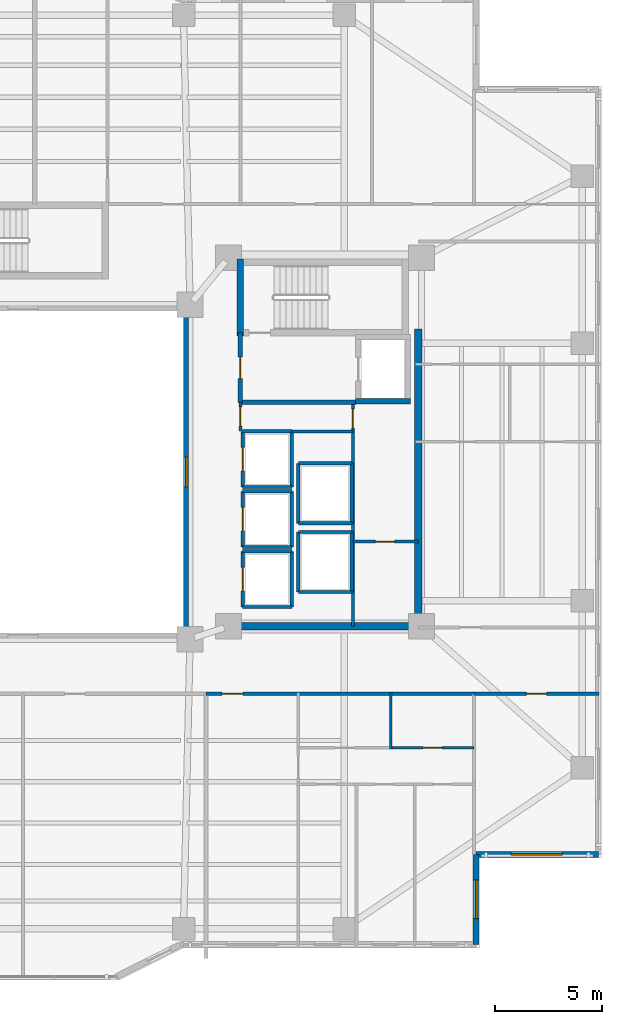
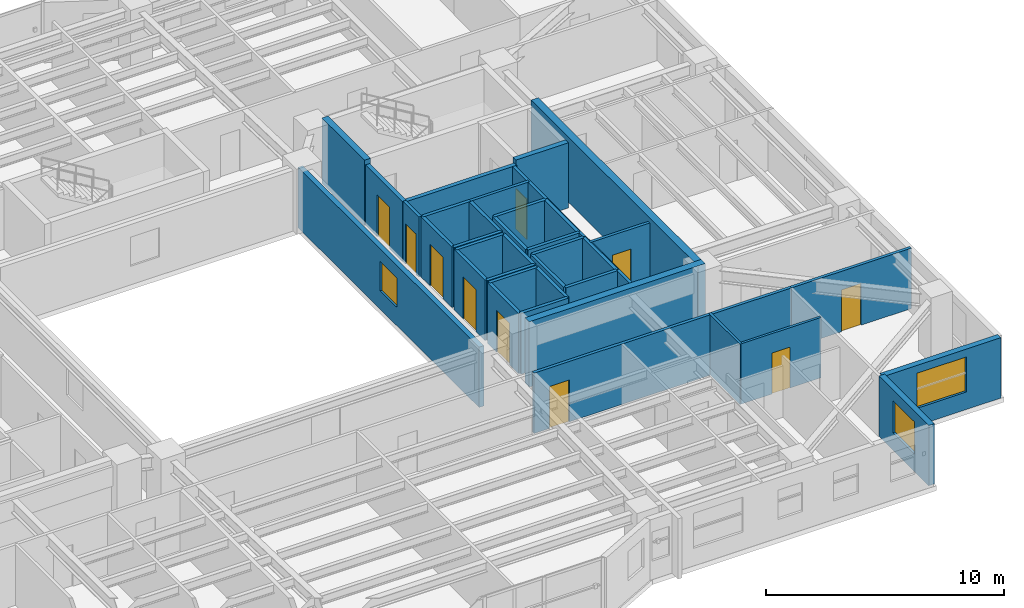
# One storey, part 8 of 18: 37 walls, 10 doors, 3 windows, 13 openings.
"""IFC4 building model written with IfcOpenShell, lengths in metres."""

from ifc_helpers import new_model, si_unit, direction, frame, frame_2d, origin, place, context, subcontext, project, spatial, rectangle, extrude, material, layer, layer_set, type_object, element, fill, save


model = new_model("IFC4")

# Units and contexts
model_context = context("Model", 3, precision=1e-05, world=origin(), true_north=direction((0.0, 1.0)))
body_context = subcontext(model_context, "Body", "Model", "MODEL_VIEW")
ifc_project = project(units=[si_unit("LENGTHUNIT", "METRE"), si_unit("AREAUNIT", "SQUARE_METRE"), si_unit("VOLUMEUNIT", "CUBIC_METRE"), si_unit("PLANEANGLEUNIT", "RADIAN"), si_unit("MASSUNIT", "GRAM", prefix="KILO")], contexts=[model_context])

# Site, building, storey
site_placement = place(None, origin())
site = spatial("IfcSite", under=ifc_project, at=site_placement, CompositionType="ELEMENT")
building_placement = place(site_placement, origin())
building = spatial("IfcBuilding", under=site, at=building_placement, Name="Tarnavaz Court Tower", CompositionType="ELEMENT")
storey_placement = place(building_placement, frame((0.0, 0.0, 108.449951171875)))
storey = spatial("IfcBuildingStorey", under=building, at=storey_placement, Name="L29", CompositionType="ELEMENT", Elevation=108.449951171875)

# Walls
ifc_material_1 = material(Name="Concrete C60/75", Category="concrete")
ifc_layer_1 = layer(ifc_material_1, 0.25)
ifc_layer_set_1 = layer_set([ifc_layer_1], Name="Concrete C60/75")
wall_type_1 = type_object("IfcWallType", Name="WL-CORE-250-C60", PredefinedType="SHEAR", material=ifc_layer_set_1)
wall_1_placement = place(storey_placement, frame((15.52490234375, 3.300048828125, 0.0), z_axis=(0.0, 0.0, 1.0), x_axis=(1.0, 0.0, 0.0)))
element("IfcWall", 1, at=wall_1_placement, inside=storey, type_object=wall_type_1, Name="L29 Lift FL-E1 Shaft Wall 035", PredefinedType="SHEAR", context=body_context, shape_type="SweptSolid", body=[
    extrude(rectangle(XDim=2.550048828125, YDim=0.25, at=frame_2d((1.27490234375, 0.0))), origin(), (0.0, 0.0, 1.0), 3.35009765625),
])
ifc_layer_2 = layer(ifc_material_1, 0.300048828125)
ifc_layer_set_2 = layer_set([ifc_layer_2], Name="Concrete C60/75")
wall_type_2 = type_object("IfcWallType", Name="WL-CORE-300-C60", PredefinedType="SHEAR", material=ifc_layer_set_2)
wall_2_placement = place(storey_placement, frame((10.14990234375, 6.35009765625, 0.0), z_axis=(0.0, 0.0, 1.0), x_axis=(0.0, 1.0, 0.0)))
element("IfcWall", 2, at=wall_2_placement, inside=storey, type_object=wall_type_2, Name="L29 East Stair Core Wall 007", PredefinedType="SHEAR", context=body_context, shape_type="SweptSolid", body=[
    extrude(rectangle(XDim=3.58984375, YDim=0.300048828125, at=frame_2d((1.794921875, 0.0))), origin(), (0.0, 0.0, 1.0), 3.35009765625),
])
ifc_layer_3 = layer(ifc_material_1, 0.35009765625)
ifc_layer_set_3 = layer_set([ifc_layer_3], Name="Concrete C60/75")
wall_type_3 = type_object("IfcWallType", Name="WL-CORE-350-C60", PredefinedType="SHEAR", material=ifc_layer_set_3)
wall_3_placement = place(storey_placement, frame((18.449951171875, -7.375, 0.0), z_axis=(0.0, 0.0, 1.0), x_axis=(0.0, 1.0, 0.0)))
element("IfcWall", 3, at=wall_3_placement, inside=storey, type_object=wall_type_3, Name="L29 East Core Shear Wall 059", PredefinedType="SHEAR", context=body_context, shape_type="SweptSolid", body=[
    extrude(rectangle(XDim=14.050048828125, YDim=0.35009765625, at=frame_2d((7.02490234375, 0.0))), origin(), (0.0, 0.0, 1.0), 3.35009765625),
])
wall_4_placement = place(storey_placement, frame((10.074951171875, -7.199951171875, 0.0), z_axis=(0.0, 0.0, 1.0), x_axis=(1.0, 0.0, 0.0)))
element("IfcWall", 4, at=wall_4_placement, inside=storey, type_object=wall_type_3, Name="L29 East Core South Shear Wall 060", PredefinedType="SHEAR", context=body_context, shape_type="SweptSolid", body=[
    extrude(rectangle(XDim=8.550048828125, YDim=0.35009765625, at=frame_2d((4.27490234375, 0.0))), origin(), (0.0, 0.0, 1.0), 3.35009765625),
])

# Wall, opening, window
ifc_material_2 = material(Name="Precast Concrete C40/50", Category="concrete")
ifc_layer_4 = layer(ifc_material_2, 0.280029296875)
ifc_layer_set_4 = layer_set([ifc_layer_4], Name="Precast Concrete C40/50")
wall_type_4 = type_object("IfcWallType", Name="WL-EXT-280", PredefinedType="SOLIDWALL", material=ifc_layer_set_4)
wall_5_placement = place(storey_placement, frame((26.85009765625, -17.85009765625, 0.0), z_axis=(0.0, 0.0, 1.0), x_axis=(-1.0, 0.0, 0.0)))
wall_5 = element("IfcWall", 5, at=wall_5_placement, inside=storey, type_object=wall_type_4, Name="L29 Exterior Terracotta Facade Wall 13", PredefinedType="SOLIDWALL", context=body_context, shape_type="SweptSolid", body=[
    extrude(rectangle(XDim=5.7001953125, YDim=0.280029296875, at=frame_2d((2.85009765625, 0.0))), origin(), (0.0, 0.0, 1.0), 3.10009765625),
])
opening_1_placement = place(wall_5_placement, frame((1.675048828125, 0.0, 0.89990234375)))
opening_1 = element("IfcOpeningElement", 6, at=opening_1_placement, cuts=wall_5, Name="Opening W06", PredefinedType="OPENING", context=body_context, shape_type="SweptSolid", body=[
    extrude(rectangle(XDim=2.39990234375, YDim=1.800048828125, at=frame_2d((1.199951171875, 0.89990234375))), frame((0.0, 0.14990234375, 0.0), z_axis=(0.0, -1.0, 0.0), x_axis=(1.0, 0.0, 0.0)), (0.0, 0.0, 1.0), 0.300048828125),
])
ifc_material_3 = material(Name="Double-Glazed Solar Low-E Glass", Category="glass")
window_type_1 = type_object("IfcWindowType", Name="WN-APT-2400", PartitioningType="TRIPLE_PANEL_VERTICAL", PredefinedType="WINDOW", material=ifc_material_3)
window_1_placement = place(opening_1_placement, origin())
window_1 = element("IfcWindow", 7, at=window_1_placement, inside=storey, type_object=window_type_1, Name="L29 South-East Corner Reading Room Window", OverallHeight=1.800048828125, OverallWidth=2.39990234375, PartitioningType="SINGLE_PANEL", PredefinedType="WINDOW", context=body_context, shape_type="SweptSolid", body=[
    extrude(rectangle(XDim=2.39990234375, YDim=1.800048828125, at=frame_2d((1.199951171875, 0.89990234375))), frame((0.0, 0.030029296875, 0.0), z_axis=(0.0, -1.0, 0.0), x_axis=(1.0, 0.0, 0.0)), (0.0, 0.0, 1.0), 0.06005859375),
])
fill(opening_1, window_1)

wall_6_placement = place(storey_placement, frame((21.14990234375, -17.85009765625, 0.0), z_axis=(0.0, 0.0, 1.0), x_axis=(0.0, -1.0, 0.0)))
wall_6 = element("IfcWall", 8, at=wall_6_placement, inside=storey, type_object=wall_type_4, Name="L29 Exterior Terracotta Facade Wall 14", PredefinedType="SOLIDWALL", context=body_context, shape_type="SweptSolid", body=[
    extrude(rectangle(XDim=4.199951171875, YDim=0.280029296875, at=frame_2d((2.10009765625, 0.0))), origin(), (0.0, 0.0, 1.0), 3.10009765625),
])
opening_2_placement = place(wall_6_placement, frame((1.18212890625, 0.0, 0.89990234375)))
opening_2 = element("IfcOpeningElement", 9, at=opening_2_placement, cuts=wall_6, Name="Opening W01", PredefinedType="OPENING", context=body_context, shape_type="SweptSolid", body=[
    extrude(rectangle(XDim=1.800048828125, YDim=1.64990234375, at=frame_2d((0.89990234375, 0.824951171875))), frame((0.0, 0.14990234375, 0.0), z_axis=(0.0, -1.0, 0.0), x_axis=(1.0, 0.0, 0.0)), (0.0, 0.0, 1.0), 0.300048828125),
])
window_type_2 = type_object("IfcWindowType", Name="WN-APT-1800", PartitioningType="DOUBLE_PANEL_VERTICAL", PredefinedType="WINDOW", material=ifc_material_3)
window_2_placement = place(opening_2_placement, origin())
window_2 = element("IfcWindow", 10, at=window_2_placement, inside=storey, type_object=window_type_2, Name="L29 Flat 01 Bedroom 3 Window", OverallHeight=1.64990234375, OverallWidth=1.800048828125, PartitioningType="SINGLE_PANEL", PredefinedType="WINDOW", context=body_context, shape_type="SweptSolid", body=[
    extrude(rectangle(XDim=1.800048828125, YDim=1.64990234375, at=frame_2d((0.89990234375, 0.824951171875))), frame((0.0, 0.030029296875, 0.0), z_axis=(0.0, -1.0, 0.0), x_axis=(1.0, 0.0, 0.0)), (0.0, 0.0, 1.0), 0.06005859375),
])
fill(opening_2, window_2)

# Wall, opening, door
ifc_material_4 = material(Name="Gypsum Fire-Board on Acoustic Metal Stud", Category="masonry")
ifc_layer_5 = layer(ifc_material_4, 0.14990234375)
ifc_layer_set_5 = layer_set([ifc_layer_5], Name="Gypsum Fire-Board on Acoustic Metal Stud")
wall_type_5 = type_object("IfcWallType", Name="WL-FIRE-150", PredefinedType="PARTITIONING", material=ifc_layer_set_5)
wall_7_placement = place(storey_placement, frame((8.550048828125, -10.35009765625, 0.0), z_axis=(0.0, 0.0, 1.0), x_axis=(1.0, 0.0, 0.0)))
wall_7 = element("IfcWall", 11, at=wall_7_placement, inside=storey, type_object=wall_type_5, Name="L29 SE Horseshoe Wall 074", PredefinedType="PARTITIONING", context=body_context, shape_type="SweptSolid", body=[
    extrude(rectangle(XDim=12.5, YDim=0.14990234375, at=frame_2d((6.25, 0.0))), origin(), (0.0, 0.0, 1.0), 3.10009765625),
])
opening_3_placement = place(wall_7_placement, frame((0.75, 0.0, 0.0)))
opening_3 = element("IfcOpeningElement", 12, at=opening_3_placement, cuts=wall_7, Name="Opening D06", PredefinedType="OPENING", context=body_context, shape_type="SweptSolid", body=[
    extrude(rectangle(XDim=0.9599609375, YDim=2.14990234375, at=frame_2d((0.47998046875, 1.074951171875))), frame((0.0, 0.0849609375, 0.0), z_axis=(0.0, -1.0, 0.0), x_axis=(1.0, 0.0, 0.0)), (0.0, 0.0, 1.0), 0.169921875),
])
ifc_material_5 = material(Name="Fire-Rated Hardwood Timber Core", Category="wood")
door_type_1 = type_object("IfcDoorType", Name="DR-FD60-950", OperationType="NOTDEFINED", PredefinedType="DOOR", material=ifc_material_5)
door_1_placement = place(opening_3_placement, origin())
door_1 = element("IfcDoor", 13, at=door_1_placement, inside=storey, type_object=door_type_1, Name="L29 Flat 01 Entrance Door", OperationType="SINGLE_SWING_RIGHT", OverallHeight=2.14990234375, OverallWidth=0.9599609375, PredefinedType="DOOR", context=body_context, shape_type="SweptSolid", body=[
    extrude(rectangle(XDim=0.9599609375, YDim=2.14990234375, at=frame_2d((0.47998046875, 1.074951171875))), frame((0.0, 0.02490234375, 0.0), z_axis=(0.0, -1.0, 0.0), x_axis=(1.0, 0.0, 0.0)), (0.0, 0.0, 1.0), 0.050048828125),
])
fill(opening_3, door_1)

wall_8_placement = place(storey_placement, frame((21.050048828125, -10.35009765625, 0.0), z_axis=(0.0, 0.0, 1.0), x_axis=(1.0, 0.0, 0.0)))
wall_8 = element("IfcWall", 14, at=wall_8_placement, inside=storey, type_object=wall_type_5, Name="L29 Interior Partition 106", PredefinedType="PARTITIONING", context=body_context, shape_type="SweptSolid", body=[
    extrude(rectangle(XDim=5.829833984375, YDim=0.14990234375, at=frame_2d((2.9150390625, 0.0))), origin(), (0.0, 0.0, 1.0), 3.10009765625),
])
opening_4_placement = place(wall_8_placement, frame((2.43994140625, 0.0, 0.0)))
opening_4 = element("IfcOpeningElement", 15, at=opening_4_placement, cuts=wall_8, Name="Opening D13", PredefinedType="OPENING", context=body_context, shape_type="SweptSolid", body=[
    extrude(rectangle(XDim=0.949951171875, YDim=2.14990234375, at=frame_2d((0.47509765625, 1.074951171875))), frame((0.0, 0.0849609375, 0.0), z_axis=(0.0, -1.0, 0.0), x_axis=(1.0, 0.0, 0.0)), (0.0, 0.0, 1.0), 0.169921875),
])
ifc_material_6 = material(Name="Engineered Oak Timber", Category="wood")
door_type_2 = type_object("IfcDoorType", Name="DR-INT-950", OperationType="NOTDEFINED", PredefinedType="DOOR", material=ifc_material_6)
door_2_placement = place(opening_4_placement, origin())
door_2 = element("IfcDoor", 16, at=door_2_placement, inside=storey, type_object=door_type_2, Name="L29 SE Reading Room Door", OperationType="SINGLE_SWING_RIGHT", OverallHeight=2.14990234375, OverallWidth=0.949951171875, PredefinedType="DOOR", context=body_context, shape_type="SweptSolid", body=[
    extrude(rectangle(XDim=0.949951171875, YDim=2.14990234375, at=frame_2d((0.47509765625, 1.074951171875))), frame((0.0, 0.02490234375, 0.0), z_axis=(0.0, -1.0, 0.0), x_axis=(1.0, 0.0, 0.0)), (0.0, 0.0, 1.0), 0.050048828125),
])
fill(opening_4, door_2)

# Wall
ifc_material_7 = material(Name="Autoclaved Aerated Concrete Blockwork", Category="masonry")
ifc_layer_6 = layer(ifc_material_7, 0.199951171875)
ifc_layer_set_6 = layer_set([ifc_layer_6], Name="Autoclaved Aerated Concrete Blockwork")
wall_type_6 = type_object("IfcWallType", Name="WL-FIRE-200", PredefinedType="SOLIDWALL", material=ifc_layer_set_6)
wall_9_placement = place(storey_placement, frame((10.14990234375, 3.25, 0.0), z_axis=(0.0, 0.0, 1.0), x_axis=(1.0, 0.0, 0.0)))
element("IfcWall", 17, at=wall_9_placement, inside=storey, type_object=wall_type_6, Name="L29 East Firefighting Lobby Wall 015", PredefinedType="SOLIDWALL", context=body_context, shape_type="SweptSolid", body=[
    extrude(rectangle(XDim=5.400146484375, YDim=0.199951171875, at=frame_2d((2.7001953125, 0.0))), origin(), (0.0, 0.0, 1.0), 3.10009765625),
])

# Wall, opening, door
wall_10_placement = place(storey_placement, frame((10.14990234375, 3.25, 0.0), z_axis=(0.0, 0.0, 1.0), x_axis=(0.0, 1.0, 0.0)))
wall_10 = element("IfcWall", 18, at=wall_10_placement, inside=storey, type_object=wall_type_6, Name="L29 East Firefighting Lobby Wall 016", PredefinedType="SOLIDWALL", context=body_context, shape_type="SweptSolid", body=[
    extrude(rectangle(XDim=3.25, YDim=0.199951171875, at=frame_2d((1.625, 0.0))), origin(), (0.0, 0.0, 1.0), 3.10009765625),
])
opening_5_placement = place(wall_10_placement, frame((1.10009765625, 0.0, 0.0)))
opening_5 = element("IfcOpeningElement", 19, at=opening_5_placement, cuts=wall_10, Name="Opening D05", PredefinedType="OPENING", context=body_context, shape_type="SweptSolid", body=[
    extrude(rectangle(XDim=1.02001953125, YDim=2.14990234375, at=frame_2d((0.510009765625, 1.074951171875))), frame((0.0, 0.10986328125, 0.0), z_axis=(0.0, -1.0, 0.0), x_axis=(1.0, 0.0, 0.0)), (0.0, 0.0, 1.0), 0.219970703125),
])
door_type_3 = type_object("IfcDoorType", Name="DR-FD60-1000", OperationType="NOTDEFINED", PredefinedType="DOOR", material=ifc_material_5)
door_3_placement = place(opening_5_placement, origin())
door_3 = element("IfcDoor", 20, at=door_3_placement, inside=storey, type_object=door_type_3, Name="L29 East Firefighting Lobby Door", OperationType="SINGLE_SWING_LEFT", OverallHeight=2.14990234375, OverallWidth=1.02001953125, PredefinedType="DOOR", context=body_context, shape_type="SweptSolid", body=[
    extrude(rectangle(XDim=1.02001953125, YDim=2.14990234375, at=frame_2d((0.510009765625, 1.074951171875))), frame((0.0, 0.02490234375, 0.0), z_axis=(0.0, -1.0, 0.0), x_axis=(1.0, 0.0, 0.0)), (0.0, 0.0, 1.0), 0.050048828125),
])
fill(opening_5, door_3)

ifc_material_8 = material(Name="Moisture-Resistant Gypsum Board Partition", Category="masonry")
ifc_layer_7 = layer(ifc_material_8, 0.1201171875)
ifc_layer_set_7 = layer_set([ifc_layer_7], Name="Moisture-Resistant Gypsum Board Partition")
wall_type_7 = type_object("IfcWallType", Name="WL-PART-120", PredefinedType="PARTITIONING", material=ifc_layer_set_7)
wall_11_placement = place(storey_placement, frame((17.1650390625, -12.860107421875, 0.0), z_axis=(0.0, 0.0, 1.0), x_axis=(1.0, 0.0, 0.0)))
wall_11 = element("IfcWall", 21, at=wall_11_placement, inside=storey, type_object=wall_type_7, Name="L29 Interior Partition 086", PredefinedType="PARTITIONING", context=body_context, shape_type="SweptSolid", body=[
    extrude(rectangle(XDim=3.885009765625, YDim=0.1201171875, at=frame_2d((1.9423828125, 0.0))), origin(), (0.0, 0.0, 1.0), 3.10009765625),
])
opening_6_placement = place(wall_11_placement, frame((1.5029296875, 0.0, 0.0)))
opening_6 = element("IfcOpeningElement", 22, at=opening_6_placement, cuts=wall_11, Name="Opening D14", PredefinedType="OPENING", context=body_context, shape_type="SweptSolid", body=[
    extrude(rectangle(XDim=0.8798828125, YDim=2.10009765625, at=frame_2d((0.43994140625, 1.050048828125))), frame((0.0, 0.070068359375, 0.0), z_axis=(0.0, -1.0, 0.0), x_axis=(1.0, 0.0, 0.0)), (0.0, 0.0, 1.0), 0.14013671875),
])
door_type_4 = type_object("IfcDoorType", Name="DR-INT-900", OperationType="NOTDEFINED", PredefinedType="DOOR", material=ifc_material_6)
door_4_placement = place(opening_6_placement, origin())
door_4 = element("IfcDoor", 23, at=door_4_placement, inside=storey, type_object=door_type_4, Name="L29 Flat 01 Bathroom Door", OperationType="SINGLE_SWING_LEFT", OverallHeight=2.10009765625, OverallWidth=0.8798828125, PredefinedType="DOOR", context=body_context, shape_type="SweptSolid", body=[
    extrude(rectangle(XDim=0.8798828125, YDim=2.10009765625, at=frame_2d((0.43994140625, 1.050048828125))), frame((0.0, 0.02490234375, 0.0), z_axis=(0.0, -1.0, 0.0), x_axis=(1.0, 0.0, 0.0)), (0.0, 0.0, 1.0), 0.050048828125),
])
fill(opening_6, door_4)

# Walls
wall_12_placement = place(storey_placement, frame((17.1650390625, -12.919921875, 0.0), z_axis=(0.0, 0.0, 1.0), x_axis=(0.0, 1.0, 0.0)))
element("IfcWall", 24, at=wall_12_placement, inside=storey, type_object=wall_type_7, Name="L29 Interior Partition 088", PredefinedType="PARTITIONING", context=body_context, shape_type="SweptSolid", body=[
    extrude(rectangle(XDim=2.6298828125, YDim=0.1201171875, at=frame_2d((1.31494140625, 0.0))), origin(), (0.0, 0.0, 1.0), 3.10009765625),
])
ifc_material_9 = material(Name="Gypsum Plasterboard Acoustic Partition", Category="masonry")
ifc_layer_8 = layer(ifc_material_9, 0.139892578125)
ifc_layer_set_8 = layer_set([ifc_layer_8], Name="Gypsum Plasterboard Acoustic Partition")
wall_type_8 = type_object("IfcWallType", Name="WL-PART-150", PredefinedType="PARTITIONING", material=ifc_layer_set_8)
wall_13_placement = place(storey_placement, frame((12.550048828125, 1.89990234375, 0.0), z_axis=(0.0, 0.0, 1.0), x_axis=(1.0, 0.0, 0.0)))
element("IfcWall", 25, at=wall_13_placement, inside=storey, type_object=wall_type_8, Name="L29 Interior Partition 067", PredefinedType="PARTITIONING", context=body_context, shape_type="SweptSolid", body=[
    extrude(rectangle(XDim=2.849853515625, YDim=0.139892578125, at=frame_2d((1.4248046875, 0.0))), origin(), (0.0, 0.0, 1.0), 3.10009765625),
])

# Wall, opening, door
wall_14_placement = place(storey_placement, frame((10.14990234375, 1.919921875, 0.0), z_axis=(0.0, 0.0, 1.0), x_axis=(0.0, 1.0, 0.0)))
wall_14 = element("IfcWall", 26, at=wall_14_placement, inside=storey, type_object=wall_type_8, Name="L29 Interior Partition 068", PredefinedType="PARTITIONING", context=body_context, shape_type="SweptSolid", body=[
    extrude(rectangle(XDim=1.330078125, YDim=0.139892578125, at=frame_2d((0.6650390625, 0.0))), origin(), (0.0, 0.0, 1.0), 3.10009765625),
])
opening_7_placement = place(wall_14_placement, frame((0.219970703125, 0.0, 0.0)))
opening_7 = element("IfcOpeningElement", 27, at=opening_7_placement, cuts=wall_14, Name="Opening D09", PredefinedType="OPENING", context=body_context, shape_type="SweptSolid", body=[
    extrude(rectangle(XDim=0.89990234375, YDim=2.080078125, at=frame_2d((0.449951171875, 1.0400390625))), frame((0.0, 0.079833984375, 0.0), z_axis=(0.0, -1.0, 0.0), x_axis=(1.0, 0.0, 0.0)), (0.0, 0.0, 1.0), 0.159912109375),
])
door_type_5 = type_object("IfcDoorType", Name="DR-FD30-900", OperationType="NOTDEFINED", PredefinedType="DOOR", material=ifc_material_5)
door_5_placement = place(opening_7_placement, origin())
door_5 = element("IfcDoor", 28, at=door_5_placement, inside=storey, type_object=door_type_5, Name="L29 East Core Service Lobby Door", OperationType="SINGLE_SWING_RIGHT", OverallHeight=2.080078125, OverallWidth=0.89990234375, PredefinedType="DOOR", context=body_context, shape_type="SweptSolid", body=[
    extrude(rectangle(XDim=0.89990234375, YDim=2.080078125, at=frame_2d((0.449951171875, 1.0400390625))), frame((0.0, 0.02490234375, 0.0), z_axis=(0.0, -1.0, 0.0), x_axis=(1.0, 0.0, 0.0)), (0.0, 0.0, 1.0), 0.050048828125),
])
fill(opening_7, door_5)

wall_15_placement = place(storey_placement, frame((15.39990234375, -7.199951171875, 0.0), z_axis=(0.0, 0.0, 1.0), x_axis=(0.0, 1.0, 0.0)))
wall_15 = element("IfcWall", 29, at=wall_15_placement, inside=storey, type_object=wall_type_8, Name="L29 Interior Partition 069", PredefinedType="PARTITIONING", context=body_context, shape_type="SweptSolid", body=[
    extrude(rectangle(XDim=10.449951171875, YDim=0.139892578125, at=frame_2d((5.22509765625, 0.0))), origin(), (0.0, 0.0, 1.0), 3.10009765625),
])
opening_8_placement = place(wall_15_placement, frame((9.25, 0.0, 0.0)))
opening_8 = element("IfcOpeningElement", 30, at=opening_8_placement, cuts=wall_15, Name="Opening D09", PredefinedType="OPENING", context=body_context, shape_type="SweptSolid", body=[
    extrude(rectangle(XDim=0.89990234375, YDim=2.080078125, at=frame_2d((0.449951171875, 1.0400390625))), frame((0.0, 0.079833984375, 0.0), z_axis=(0.0, -1.0, 0.0), x_axis=(1.0, 0.0, 0.0)), (0.0, 0.0, 1.0), 0.159912109375),
])
door_6_placement = place(opening_8_placement, origin())
door_6 = element("IfcDoor", 31, at=door_6_placement, inside=storey, type_object=door_type_5, Name="L29 East Wet Riser Door", OperationType="SINGLE_SWING_LEFT", OverallHeight=2.080078125, OverallWidth=0.89990234375, PredefinedType="DOOR", context=body_context, shape_type="SweptSolid", body=[
    extrude(rectangle(XDim=0.89990234375, YDim=2.080078125, at=frame_2d((0.449951171875, 1.0400390625))), frame((0.0, 0.02490234375, 0.0), z_axis=(0.0, -1.0, 0.0), x_axis=(1.0, 0.0, 0.0)), (0.0, 0.0, 1.0), 0.050048828125),
])
fill(opening_8, door_6)

wall_16_placement = place(storey_placement, frame((15.39990234375, -3.25, 0.0), z_axis=(0.0, 0.0, 1.0), x_axis=(1.0, 0.0, 0.0)))
wall_16 = element("IfcWall", 32, at=wall_16_placement, inside=storey, type_object=wall_type_8, Name="L29 Interior Partition 070", PredefinedType="PARTITIONING", context=body_context, shape_type="SweptSolid", body=[
    extrude(rectangle(XDim=3.050048828125, YDim=0.139892578125, at=frame_2d((1.52490234375, 0.0))), origin(), (0.0, 0.0, 1.0), 3.10009765625),
])
opening_9_placement = place(wall_16_placement, frame((1.050048828125, 0.0, 0.0)))
opening_9 = element("IfcOpeningElement", 33, at=opening_9_placement, cuts=wall_16, Name="Opening D09", PredefinedType="OPENING", context=body_context, shape_type="SweptSolid", body=[
    extrude(rectangle(XDim=0.89990234375, YDim=2.080078125, at=frame_2d((0.449951171875, 1.0400390625))), frame((0.0, 0.079833984375, 0.0), z_axis=(0.0, -1.0, 0.0), x_axis=(1.0, 0.0, 0.0)), (0.0, 0.0, 1.0), 0.159912109375),
])
door_7_placement = place(opening_9_placement, origin())
door_7 = element("IfcDoor", 34, at=door_7_placement, inside=storey, type_object=door_type_5, Name="L29 East Electrical Plant Door", OperationType="SINGLE_SWING_RIGHT", OverallHeight=2.080078125, OverallWidth=0.89990234375, PredefinedType="DOOR", context=body_context, shape_type="SweptSolid", body=[
    extrude(rectangle(XDim=0.89990234375, YDim=2.080078125, at=frame_2d((0.449951171875, 1.0400390625))), frame((0.0, 0.02490234375, 0.0), z_axis=(0.0, -1.0, 0.0), x_axis=(1.0, 0.0, 0.0)), (0.0, 0.0, 1.0), 0.050048828125),
])
fill(opening_9, door_7)

ifc_layer_9 = layer(ifc_material_7, 0.159912109375)
ifc_layer_set_9 = layer_set([ifc_layer_9], Name="Autoclaved Aerated Concrete Blockwork")
wall_type_9 = type_object("IfcWallType", Name="WL-SHAFT-150", PredefinedType="SOLIDWALL", material=ifc_layer_set_9)
wall_17_placement = place(storey_placement, frame((10.25, -6.300048828125, 0.0), z_axis=(0.0, 0.0, 1.0), x_axis=(0.0, 1.0, 0.0)))
wall_17 = element("IfcWall", 35, at=wall_17_placement, inside=storey, type_object=wall_type_9, Name="L29 Lift PL-M1 Shaft Wall 037", PredefinedType="SOLIDWALL", context=body_context, shape_type="SweptSolid", body=[
    extrude(rectangle(XDim=2.60009765625, YDim=0.159912109375, at=frame_2d((1.300048828125, 0.0))), origin(), (0.0, 0.0, 1.0), 3.10009765625),
])
opening_10_placement = place(wall_17_placement, frame((0.75, 0.0, 0.0)))
opening_10 = element("IfcOpeningElement", 36, at=opening_10_placement, cuts=wall_17, Name="Opening LD1", PredefinedType="OPENING", context=body_context, shape_type="SweptSolid", body=[
    extrude(rectangle(XDim=1.10009765625, YDim=2.14990234375, at=frame_2d((0.550048828125, 1.074951171875))), frame((0.0, 0.08984375, 0.0), z_axis=(0.0, -1.0, 0.0), x_axis=(1.0, 0.0, 0.0)), (0.0, 0.0, 1.0), 0.179931640625),
])
ifc_material_10 = material(Name="Stainless Steel", Category="steel")
door_type_6 = type_object("IfcDoorType", Name="DR-LD-1100", OperationType="NOTDEFINED", PredefinedType="DOOR", material=ifc_material_10)
door_8_placement = place(opening_10_placement, origin())
door_8 = element("IfcDoor", 37, at=door_8_placement, inside=storey, type_object=door_type_6, Name="L29 Lift Landing Door LD-PL-M1", OperationType="SLIDING_TO_LEFT", OverallHeight=2.14990234375, OverallWidth=1.10009765625, PredefinedType="DOOR", context=body_context, shape_type="SweptSolid", body=[
    extrude(rectangle(XDim=1.10009765625, YDim=2.14990234375, at=frame_2d((0.550048828125, 1.074951171875))), frame((0.0, 0.02490234375, 0.0), z_axis=(0.0, -1.0, 0.0), x_axis=(1.0, 0.0, 0.0)), (0.0, 0.0, 1.0), 0.050048828125),
])
fill(opening_10, door_8)

# Walls
wall_18_placement = place(storey_placement, frame((12.550048828125, -6.300048828125, 0.0), z_axis=(0.0, 0.0, 1.0), x_axis=(0.0, 1.0, 0.0)))
element("IfcWall", 38, at=wall_18_placement, inside=storey, type_object=wall_type_9, Name="L29 Lift PL-M1 Shaft Wall 038", PredefinedType="SOLIDWALL", context=body_context, shape_type="SweptSolid", body=[
    extrude(rectangle(XDim=2.60009765625, YDim=0.159912109375, at=frame_2d((1.300048828125, 0.0))), origin(), (0.0, 0.0, 1.0), 3.10009765625),
])
for number, where, z_axis, x_axis, name in (
    (39, (10.25, -6.300048828125, 0.0), (0.0, 0.0, 1.0), (1.0, 0.0, 0.0), "L29 Lift PL-M1 Shaft Wall 039"),
    (40, (10.25, -3.699951171875, 0.0), (0.0, 0.0, 1.0), (1.0, 0.0, 0.0), "L29 Lift PL-M1 Shaft Wall 040"),
):
    element("IfcWall", number, at=place(storey_placement, frame(where, z_axis=z_axis, x_axis=x_axis)), inside=storey, type_object=wall_type_9, Name=name, PredefinedType="SOLIDWALL", context=body_context, shape_type="SweptSolid", body=[
        extrude(rectangle(XDim=2.300048828125, YDim=0.159912109375, at=frame_2d((1.14990234375, 0.0))), origin(), (0.0, 0.0, 1.0), 3.10009765625),
    ])

# Wall, opening, door
wall_19_placement = place(storey_placement, frame((10.25, -3.5, 0.0), z_axis=(0.0, 0.0, 1.0), x_axis=(0.0, 1.0, 0.0)))
wall_19 = element("IfcWall", 41, at=wall_19_placement, inside=storey, type_object=wall_type_9, Name="L29 Lift PL-M2 Shaft Wall 041", PredefinedType="SOLIDWALL", context=body_context, shape_type="SweptSolid", body=[
    extrude(rectangle(XDim=2.60009765625, YDim=0.159912109375, at=frame_2d((1.300048828125, 0.0))), origin(), (0.0, 0.0, 1.0), 3.10009765625),
])
opening_11_placement = place(wall_19_placement, frame((0.75, 0.0, 0.0)))
opening_11 = element("IfcOpeningElement", 42, at=opening_11_placement, cuts=wall_19, Name="Opening LD1", PredefinedType="OPENING", context=body_context, shape_type="SweptSolid", body=[
    extrude(rectangle(XDim=1.10009765625, YDim=2.14990234375, at=frame_2d((0.550048828125, 1.074951171875))), frame((0.0, 0.08984375, 0.0), z_axis=(0.0, -1.0, 0.0), x_axis=(1.0, 0.0, 0.0)), (0.0, 0.0, 1.0), 0.179931640625),
])
door_9_placement = place(opening_11_placement, origin())
door_9 = element("IfcDoor", 43, at=door_9_placement, inside=storey, type_object=door_type_6, Name="L29 Lift Landing Door LD-PL-M2", OperationType="SLIDING_TO_LEFT", OverallHeight=2.14990234375, OverallWidth=1.10009765625, PredefinedType="DOOR", context=body_context, shape_type="SweptSolid", body=[
    extrude(rectangle(XDim=1.10009765625, YDim=2.14990234375, at=frame_2d((0.550048828125, 1.074951171875))), frame((0.0, 0.02490234375, 0.0), z_axis=(0.0, -1.0, 0.0), x_axis=(1.0, 0.0, 0.0)), (0.0, 0.0, 1.0), 0.050048828125),
])
fill(opening_11, door_9)

# Walls
wall_20_placement = place(storey_placement, frame((12.550048828125, -3.5, 0.0), z_axis=(0.0, 0.0, 1.0), x_axis=(0.0, 1.0, 0.0)))
element("IfcWall", 44, at=wall_20_placement, inside=storey, type_object=wall_type_9, Name="L29 Lift PL-M2 Shaft Wall 042", PredefinedType="SOLIDWALL", context=body_context, shape_type="SweptSolid", body=[
    extrude(rectangle(XDim=2.60009765625, YDim=0.159912109375, at=frame_2d((1.300048828125, 0.0))), origin(), (0.0, 0.0, 1.0), 3.10009765625),
])
for number, where, z_axis, x_axis, name in (
    (45, (10.25, -3.5, 0.0), (0.0, 0.0, 1.0), (1.0, 0.0, 0.0), "L29 Lift PL-M2 Shaft Wall 043"),
    (46, (10.25, -0.89990234375, 0.0), (0.0, 0.0, 1.0), (1.0, 0.0, 0.0), "L29 Lift PL-M2 Shaft Wall 044"),
):
    element("IfcWall", number, at=place(storey_placement, frame(where, z_axis=z_axis, x_axis=x_axis)), inside=storey, type_object=wall_type_9, Name=name, PredefinedType="SOLIDWALL", context=body_context, shape_type="SweptSolid", body=[
        extrude(rectangle(XDim=2.300048828125, YDim=0.159912109375, at=frame_2d((1.14990234375, 0.0))), origin(), (0.0, 0.0, 1.0), 3.10009765625),
    ])

# Wall, opening, door
wall_21_placement = place(storey_placement, frame((10.25, -0.699951171875, 0.0), z_axis=(0.0, 0.0, 1.0), x_axis=(0.0, 1.0, 0.0)))
wall_21 = element("IfcWall", 47, at=wall_21_placement, inside=storey, type_object=wall_type_9, Name="L29 Lift PL-M3 Shaft Wall 045", PredefinedType="SOLIDWALL", context=body_context, shape_type="SweptSolid", body=[
    extrude(rectangle(XDim=2.599853515625, YDim=0.159912109375, at=frame_2d((1.2998046875, 0.0))), origin(), (0.0, 0.0, 1.0), 3.10009765625),
])
opening_12_placement = place(wall_21_placement, frame((0.75, 0.0, 0.0)))
opening_12 = element("IfcOpeningElement", 48, at=opening_12_placement, cuts=wall_21, Name="Opening LD1", PredefinedType="OPENING", context=body_context, shape_type="SweptSolid", body=[
    extrude(rectangle(XDim=1.10009765625, YDim=2.14990234375, at=frame_2d((0.550048828125, 1.074951171875))), frame((0.0, 0.08984375, 0.0), z_axis=(0.0, -1.0, 0.0), x_axis=(1.0, 0.0, 0.0)), (0.0, 0.0, 1.0), 0.179931640625),
])
door_10_placement = place(opening_12_placement, origin())
door_10 = element("IfcDoor", 49, at=door_10_placement, inside=storey, type_object=door_type_6, Name="L29 Lift Landing Door LD-PL-M3", OperationType="SLIDING_TO_LEFT", OverallHeight=2.14990234375, OverallWidth=1.10009765625, PredefinedType="DOOR", context=body_context, shape_type="SweptSolid", body=[
    extrude(rectangle(XDim=1.10009765625, YDim=2.14990234375, at=frame_2d((0.550048828125, 1.074951171875))), frame((0.0, 0.02490234375, 0.0), z_axis=(0.0, -1.0, 0.0), x_axis=(1.0, 0.0, 0.0)), (0.0, 0.0, 1.0), 0.050048828125),
])
fill(opening_12, door_10)

# Walls
wall_22_placement = place(storey_placement, frame((12.550048828125, -0.699951171875, 0.0), z_axis=(0.0, 0.0, 1.0), x_axis=(0.0, 1.0, 0.0)))
element("IfcWall", 50, at=wall_22_placement, inside=storey, type_object=wall_type_9, Name="L29 Lift PL-M3 Shaft Wall 046", PredefinedType="SOLIDWALL", context=body_context, shape_type="SweptSolid", body=[
    extrude(rectangle(XDim=2.599853515625, YDim=0.159912109375, at=frame_2d((1.2998046875, 0.0))), origin(), (0.0, 0.0, 1.0), 3.10009765625),
])
for number, where, z_axis, x_axis, name in (
    (51, (10.25, -0.699951171875, 0.0), (0.0, 0.0, 1.0), (1.0, 0.0, 0.0), "L29 Lift PL-M3 Shaft Wall 047"),
    (52, (10.25, 1.89990234375, 0.0), (0.0, 0.0, 1.0), (1.0, 0.0, 0.0), "L29 Lift PL-M3 Shaft Wall 048"),
):
    element("IfcWall", number, at=place(storey_placement, frame(where, z_axis=z_axis, x_axis=x_axis)), inside=storey, type_object=wall_type_9, Name=name, PredefinedType="SOLIDWALL", context=body_context, shape_type="SweptSolid", body=[
        extrude(rectangle(XDim=2.300048828125, YDim=0.159912109375, at=frame_2d((1.14990234375, 0.0))), origin(), (0.0, 0.0, 1.0), 3.10009765625),
    ])
for number, where, z_axis, x_axis, name in (
    (53, (12.85009765625, -5.60009765625, 0.0), (0.0, 0.0, 1.0), (0.0, 1.0, 0.0), "L29 Lift PL-OB1 Shaft Wall 049"),
    (54, (15.35009765625, -5.60009765625, 0.0), (0.0, 0.0, 1.0), (0.0, 1.0, 0.0), "L29 Lift PL-OB1 Shaft Wall 050"),
):
    element("IfcWall", number, at=place(storey_placement, frame(where, z_axis=z_axis, x_axis=x_axis)), inside=storey, type_object=wall_type_9, Name=name, PredefinedType="SOLIDWALL", context=body_context, shape_type="SweptSolid", body=[
        extrude(rectangle(XDim=2.800048828125, YDim=0.159912109375, at=frame_2d((1.39990234375, 0.0))), origin(), (0.0, 0.0, 1.0), 3.10009765625),
    ])
for number, where, z_axis, x_axis, name in (
    (55, (12.85009765625, -5.60009765625, 0.0), (0.0, 0.0, 1.0), (1.0, 0.0, 0.0), "L29 Lift PL-OB1 Shaft Wall 051"),
    (56, (12.85009765625, -2.800048828125, 0.0), (0.0, 0.0, 1.0), (1.0, 0.0, 0.0), "L29 Lift PL-OB1 Shaft Wall 052"),
):
    element("IfcWall", number, at=place(storey_placement, frame(where, z_axis=z_axis, x_axis=x_axis)), inside=storey, type_object=wall_type_9, Name=name, PredefinedType="SOLIDWALL", context=body_context, shape_type="SweptSolid", body=[
        extrude(rectangle(XDim=2.5, YDim=0.159912109375, at=frame_2d((1.25, 0.0))), origin(), (0.0, 0.0, 1.0), 3.10009765625),
    ])
for number, where, z_axis, x_axis, name in (
    (57, (12.85009765625, -2.39990234375, 0.0), (0.0, 0.0, 1.0), (0.0, 1.0, 0.0), "L29 Lift PL-OB2 Shaft Wall 053"),
    (58, (15.35009765625, -2.39990234375, 0.0), (0.0, 0.0, 1.0), (0.0, 1.0, 0.0), "L29 Lift PL-OB2 Shaft Wall 054"),
):
    element("IfcWall", number, at=place(storey_placement, frame(where, z_axis=z_axis, x_axis=x_axis)), inside=storey, type_object=wall_type_9, Name=name, PredefinedType="SOLIDWALL", context=body_context, shape_type="SweptSolid", body=[
        extrude(rectangle(XDim=2.7998046875, YDim=0.159912109375, at=frame_2d((1.39990234375, 0.0))), origin(), (0.0, 0.0, 1.0), 3.10009765625),
    ])
for number, where, z_axis, x_axis, name in (
    (59, (12.85009765625, -2.39990234375, 0.0), (0.0, 0.0, 1.0), (1.0, 0.0, 0.0), "L29 Lift PL-OB2 Shaft Wall 055"),
    (60, (12.85009765625, 0.39990234375, 0.0), (0.0, 0.0, 1.0), (1.0, 0.0, 0.0), "L29 Lift PL-OB2 Shaft Wall 056"),
):
    element("IfcWall", number, at=place(storey_placement, frame(where, z_axis=z_axis, x_axis=x_axis)), inside=storey, type_object=wall_type_9, Name=name, PredefinedType="SOLIDWALL", context=body_context, shape_type="SweptSolid", body=[
        extrude(rectangle(XDim=2.5, YDim=0.159912109375, at=frame_2d((1.25, 0.0))), origin(), (0.0, 0.0, 1.0), 3.10009765625),
    ])

# Wall, opening, window
ifc_layer_10 = layer(ifc_material_2, 0.239990234375)
ifc_layer_set_10 = layer_set([ifc_layer_10], Name="Precast Concrete C40/50")
wall_type_10 = type_object("IfcWallType", Name="WL-WELL-240", PredefinedType="SOLIDWALL", material=ifc_layer_set_10)
wall_23_placement = place(storey_placement, frame((7.6201171875, -7.6201171875, 0.0), z_axis=(0.0, 0.0, 1.0), x_axis=(0.0, 1.0, 0.0)))
wall_23 = element("IfcWall", 61, at=wall_23_placement, inside=storey, type_object=wall_type_10, Name="L29 Badgir Light-Well Exterior Wall E", PredefinedType="SOLIDWALL", context=body_context, shape_type="SweptSolid", body=[
    extrude(rectangle(XDim=15.240234375, YDim=0.239990234375, at=frame_2d((7.6201171875, 0.0))), origin(), (0.0, 0.0, 1.0), 3.10009765625),
])
opening_13_placement = place(wall_23_placement, frame((6.919921875, 0.0, 0.949951171875)))
opening_13 = element("IfcOpeningElement", 62, at=opening_13_placement, cuts=wall_23, Name="Opening W13", PredefinedType="OPENING", context=body_context, shape_type="SweptSolid", body=[
    extrude(rectangle(XDim=1.39990234375, YDim=1.5, at=frame_2d((0.699951171875, 0.75))), frame((0.0, 0.1298828125, 0.0), z_axis=(0.0, -1.0, 0.0), x_axis=(1.0, 0.0, 0.0)), (0.0, 0.0, 1.0), 0.260009765625),
])
window_type_3 = type_object("IfcWindowType", Name="WN-WEL-1400", PartitioningType="SINGLE_PANEL", PredefinedType="WINDOW", material=ifc_material_3)
window_3_placement = place(opening_13_placement, origin())
window_3 = element("IfcWindow", 63, at=window_3_placement, inside=storey, type_object=window_type_3, Name="L29 Courtyard Gallery Window E", OverallHeight=1.5, OverallWidth=1.39990234375, PartitioningType="SINGLE_PANEL", PredefinedType="WINDOW", context=body_context, shape_type="SweptSolid", body=[
    extrude(rectangle(XDim=1.39990234375, YDim=1.5, at=frame_2d((0.699951171875, 0.75))), frame((0.0, 0.030029296875, 0.0), z_axis=(0.0, -1.0, 0.0), x_axis=(1.0, 0.0, 0.0)), (0.0, 0.0, 1.0), 0.06005859375),
])
fill(opening_13, window_3)

save(model, "model.ifc")
